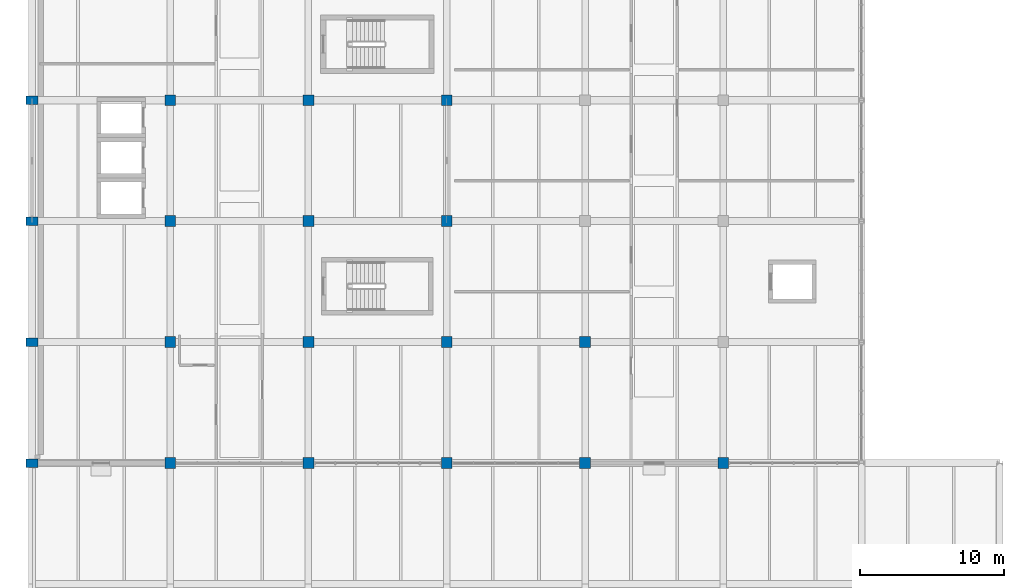
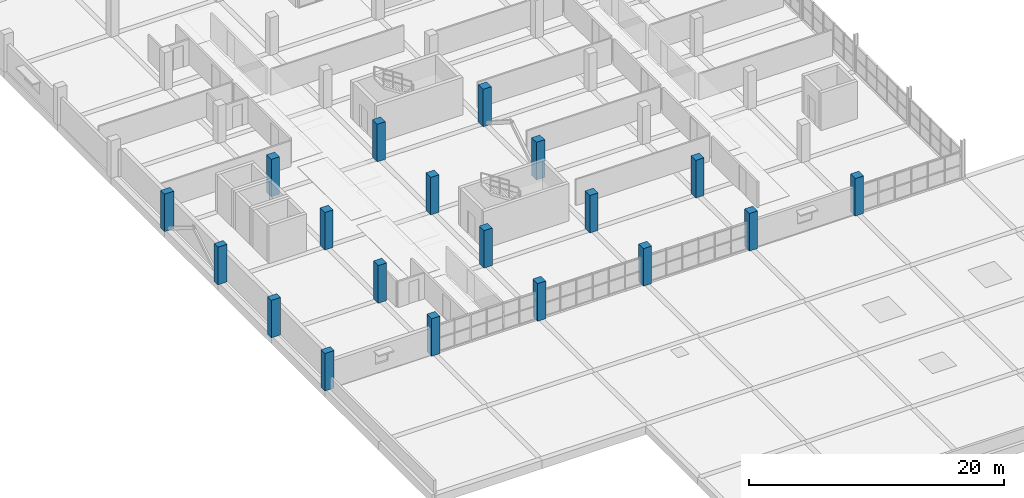
# One storey, part 1 of 147: 19 columns.
"""IFC4 building model written with IfcOpenShell, lengths in metres."""

from ifc_helpers import new_model, si_unit, direction, frame, origin, origin_2d, place, context, subcontext, project, spatial, rectangle, extrude, material, material_profile, profile_set, type_object, element, save


model = new_model("IFC4")

# Units and contexts
model_context = context("Model", 3, precision=1e-05, world=origin(), true_north=direction((0.0, 1.0)))
body_context = subcontext(model_context, "Body", "Model", "MODEL_VIEW")
ifc_project = project(units=[si_unit("LENGTHUNIT", "METRE"), si_unit("AREAUNIT", "SQUARE_METRE"), si_unit("VOLUMEUNIT", "CUBIC_METRE"), si_unit("PLANEANGLEUNIT", "RADIAN"), si_unit("MASSUNIT", "GRAM", prefix="KILO")], contexts=[model_context])

# Site, building, storey
site_placement = place(None, origin())
site = spatial("IfcSite", under=ifc_project, at=site_placement, CompositionType="ELEMENT")
building_placement = place(site_placement, origin())
building = spatial("IfcBuilding", under=site, at=building_placement, Name="Oolite Switchyard Hospital", CompositionType="ELEMENT")
storey_placement = place(building_placement, frame((0.0, 0.0, 9.89990234375)))
storey = spatial("IfcBuildingStorey", under=building, at=storey_placement, Name="L02", CompositionType="ELEMENT", Elevation=9.89990234375)

# Columns
ifc_material = material(Name="Concrete C50/60", Category="concrete")
ifc_material_profile_1 = material_profile(ifc_material, rectangle(XDim=0.75, YDim=0.75, at=origin_2d()), Name="RC750X750")
ifc_profile_set_1 = profile_set([ifc_material_profile_1], Name="Concrete C50/60")
column_type_1 = type_object("IfcColumnType", Name="COL-RC750", PredefinedType="COLUMN", material=ifc_profile_set_1)
for number, where, z_axis, x_axis, name in (
    (1, (9.60009765625, 33.60009765625, 0.0), (0.0, 0.0, 1.0), (1.0, 0.0, 0.0), "L02 Column 657"),
    (2, (9.60009765625, 42.0, 0.0), (0.0, 0.0, 1.0), (1.0, 0.0, 0.0), "L02 Column 658"),
    (3, (9.60009765625, 50.39990234375, 0.0), (0.0, 0.0, 1.0), (1.0, 0.0, 0.0), "L02 Column 659"),
    (4, (9.60009765625, 58.800048828125, 0.0), (0.0, 0.0, 1.0), (1.0, 0.0, 0.0), "L02 Column 660"),
    (5, (19.199951171875, 33.60009765625, 0.0), (0.0, 0.0, 1.0), (1.0, 0.0, 0.0), "L02 Column 670"),
    (6, (19.199951171875, 42.0, 0.0), (0.0, 0.0, 1.0), (1.0, 0.0, 0.0), "L02 Column 671"),
    (7, (19.199951171875, 50.39990234375, 0.0), (0.0, 0.0, 1.0), (1.0, 0.0, 0.0), "L02 Column 672"),
    (8, (19.199951171875, 58.800048828125, 0.0), (0.0, 0.0, 1.0), (1.0, 0.0, 0.0), "L02 Column 673"),
    (9, (28.800048828125, 33.60009765625, 0.0), (0.0, 0.0, 1.0), (1.0, 0.0, 0.0), "L02 Column 683"),
    (10, (28.800048828125, 42.0, 0.0), (0.0, 0.0, 1.0), (1.0, 0.0, 0.0), "L02 Column 684"),
    (11, (28.800048828125, 50.39990234375, 0.0), (0.0, 0.0, 1.0), (1.0, 0.0, 0.0), "L02 Column 685"),
    (12, (28.800048828125, 58.800048828125, 0.0), (0.0, 0.0, 1.0), (1.0, 0.0, 0.0), "L02 Column 686"),
    (13, (38.39990234375, 33.60009765625, 0.0), (0.0, 0.0, 1.0), (1.0, 0.0, 0.0), "L02 Column 696"),
    (14, (38.39990234375, 42.0, 0.0), (0.0, 0.0, 1.0), (1.0, 0.0, 0.0), "L02 Column 697"),
    (15, (48.0, 33.60009765625, 0.0), (0.0, 0.0, 1.0), (1.0, 0.0, 0.0), "L02 Column 709"),
):
    element("IfcColumn", number, at=place(storey_placement, frame(where, z_axis=z_axis, x_axis=x_axis)), inside=storey, type_object=column_type_1, Name=name, PredefinedType="COLUMN", context=body_context, shape_type="SweptSolid", body=[
        extrude(rectangle(XDim=0.75, YDim=0.75, at=origin_2d()), origin(), (0.0, 0.0, 1.0), 3.60009765625),
    ])
ifc_material_profile_2 = material_profile(ifc_material, rectangle(XDim=0.85009765625, YDim=0.60009765625, at=origin_2d()), Name="RC850X600")
ifc_profile_set_2 = profile_set([ifc_material_profile_2], Name="Concrete C50/60")
column_type_2 = type_object("IfcColumnType", Name="COL-RCR850", PredefinedType="COLUMN", material=ifc_profile_set_2)
for number, where, z_axis, x_axis, name in (
    (16, (0.0, 33.60009765625, 0.0), (0.0, 0.0, 1.0), (1.0, 0.0, 0.0), "L02 Column 645"),
    (17, (0.0, 42.0, 0.0), (0.0, 0.0, 1.0), (1.0, 0.0, 0.0), "L02 Column 646"),
    (18, (0.0, 50.39990234375, 0.0), (0.0, 0.0, 1.0), (1.0, 0.0, 0.0), "L02 Column 647"),
    (19, (0.0, 58.800048828125, 0.0), (0.0, 0.0, 1.0), (1.0, 0.0, 0.0), "L02 Column 648"),
):
    element("IfcColumn", number, at=place(storey_placement, frame(where, z_axis=z_axis, x_axis=x_axis)), inside=storey, type_object=column_type_2, Name=name, PredefinedType="COLUMN", context=body_context, shape_type="SweptSolid", body=[
        extrude(rectangle(XDim=0.85009765625, YDim=0.60009765625, at=origin_2d()), origin(), (0.0, 0.0, 1.0), 3.60009765625),
    ])

save(model, "model.ifc")
